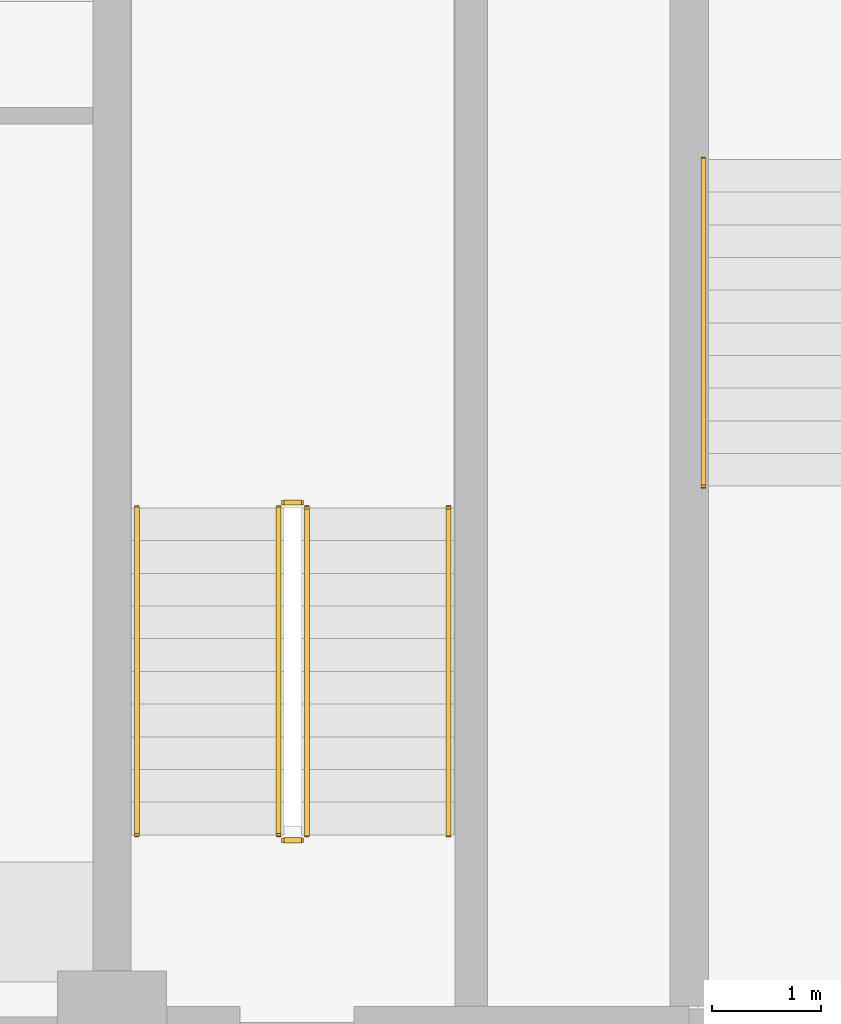
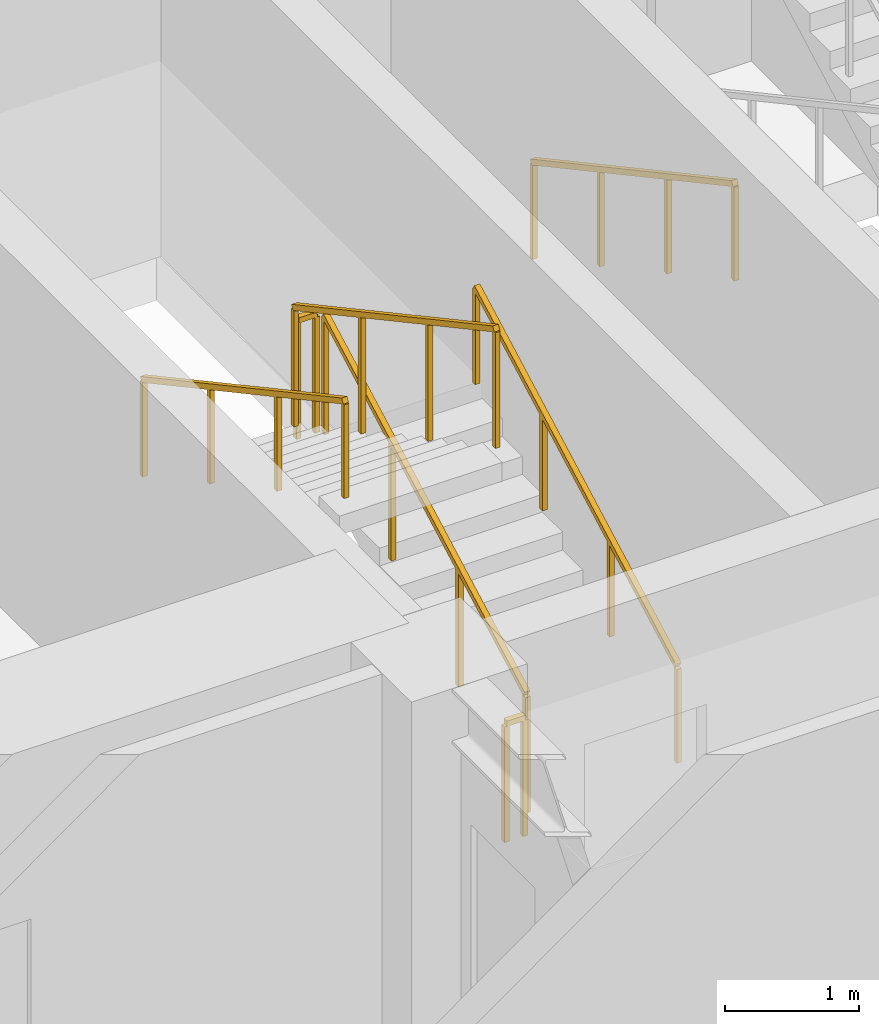
# One storey, part 11 of 17: 7 railings.
"""IFC4 building model written with IfcOpenShell, lengths in metres."""

from ifc_helpers import new_model, si_unit, direction, frame, origin, origin_2d, place, context, subcontext, project, spatial, rectangle, extrude, material, type_object, element, save


model = new_model("IFC4")

# Units and contexts
model_context = context("Model", 3, precision=1e-05, world=origin(), true_north=direction((0.0, 1.0)))
body_context = subcontext(model_context, "Body", "Model", "MODEL_VIEW")
ifc_project = project(units=[si_unit("LENGTHUNIT", "METRE"), si_unit("AREAUNIT", "SQUARE_METRE"), si_unit("VOLUMEUNIT", "CUBIC_METRE"), si_unit("PLANEANGLEUNIT", "RADIAN"), si_unit("MASSUNIT", "GRAM", prefix="KILO")], contexts=[model_context])

# Site, building, storey
site_placement = place(None, origin())
site = spatial("IfcSite", under=ifc_project, at=site_placement, CompositionType="ELEMENT")
building_placement = place(site_placement, origin())
building = spatial("IfcBuilding", under=site, at=building_placement, Name="Zulmaris Gate Convention Tower", CompositionType="ELEMENT")
storey_placement = place(building_placement, frame((0.0, 0.0, 121.349853515625)))
storey = spatial("IfcBuildingStorey", under=building, at=storey_placement, Name="L30", CompositionType="ELEMENT", Elevation=121.349853515625)

# Railings
ifc_material_1 = material(Name="Painted Galvanised Steel", Category="steel")
railing_type_1 = type_object("IfcRailingType", Name="RL-STG-1150", PredefinedType="GUARDRAIL", material=ifc_material_1)
railing_1_placement = place(storey_placement, frame((-18.2099609375, -8.199951171875, 0.162353515625)))
element("IfcRailing", 1, at=railing_1_placement, inside=storey, type_object=railing_type_1, Name="L30 ST-3 stair guard 1", PredefinedType="GUARDRAIL", context=body_context, shape_type="SweptSolid", body=[
    extrude(rectangle(XDim=0.048095703125, YDim=0.048095703125, at=origin_2d()), frame((0.0, 0.0, 1.076171875), z_axis=(0.0, 0.8795616155, 0.475784998228), x_axis=(-1.0, 0.0, 0.0)), (0.0, 0.0, 1.0), 3.410888671875),
    extrude(rectangle(XDim=0.0419921875, YDim=0.0419921875, at=origin_2d()), origin(), (0.0, 0.0, 1.0), 1.052001953125),
    extrude(rectangle(XDim=0.0419921875, YDim=0.0419921875, at=origin_2d()), frame((0.0, 1.0, 0.541015625)), (0.0, 0.0, 1.0), 1.052001953125),
    extrude(rectangle(XDim=0.0419921875, YDim=0.0419921875, at=origin_2d()), frame((0.0, 2.0, 1.081787109375)), (0.0, 0.0, 1.0), 1.052001953125),
    extrude(rectangle(XDim=0.0419921875, YDim=0.0419921875, at=origin_2d()), frame((0.0, 3.0, 1.622802734375)), (0.0, 0.0, 1.0), 1.052001953125),
])
railing_2_placement = place(storey_placement, frame((-18.260009765625, -5.14990234375, 1.78515625)))
element("IfcRailing", 2, at=railing_2_placement, inside=storey, type_object=railing_type_1, Name="L30 ST-3 stair guard 2", PredefinedType="GUARDRAIL", context=body_context, shape_type="SweptSolid", body=[
    extrude(rectangle(XDim=0.048095703125, YDim=0.048095703125, at=origin_2d()), frame((0.0, 0.0, 1.076171875), z_axis=(-1.0, 0.0, 0.0), x_axis=(0.0, -1.0, 0.0)), (0.0, 0.0, 1.0), 0.159912109375),
    extrude(rectangle(XDim=0.0419921875, YDim=0.0419921875, at=origin_2d()), origin(), (0.0, 0.0, 1.0), 1.052001953125),
    extrude(rectangle(XDim=0.0419921875, YDim=0.0419921875, at=origin_2d()), frame((-0.159912109375, 0.0, 0.0)), (0.0, 0.0, 1.0), 1.052001953125),
])
railing_3_placement = place(storey_placement, frame((-18.469970703125, -5.199951171875, 1.947265625)))
element("IfcRailing", 3, at=railing_3_placement, inside=storey, type_object=railing_type_1, Name="L30 ST-3 stair guard 3", PredefinedType="GUARDRAIL", context=body_context, shape_type="SweptSolid", body=[
    extrude(rectangle(XDim=0.048095703125, YDim=0.048095703125, at=origin_2d()), frame((0.0, 0.0, 1.076171875), z_axis=(0.0, -0.8795616155, 0.475784998228), x_axis=(1.0, 0.0, 0.0)), (0.0, 0.0, 1.0), 3.410888671875),
    extrude(rectangle(XDim=0.0419921875, YDim=0.0419921875, at=origin_2d()), origin(), (0.0, 0.0, 1.0), 1.052001953125),
    extrude(rectangle(XDim=0.0419921875, YDim=0.0419921875, at=origin_2d()), frame((0.0, -1.0, 0.541015625)), (0.0, 0.0, 1.0), 1.052001953125),
    extrude(rectangle(XDim=0.0419921875, YDim=0.0419921875, at=origin_2d()), frame((0.0, -2.0, 1.081787109375)), (0.0, 0.0, 1.0), 1.052001953125),
    extrude(rectangle(XDim=0.0419921875, YDim=0.0419921875, at=origin_2d()), frame((0.0, -3.0, 1.622802734375)), (0.0, 0.0, 1.0), 1.052001953125),
])
railing_4_placement = place(storey_placement, frame((-18.260009765625, -8.25, 0.0)))
element("IfcRailing", 4, at=railing_4_placement, inside=storey, type_object=railing_type_1, Name="L30 ST-3 stair guard 4", PredefinedType="GUARDRAIL", context=body_context, shape_type="SweptSolid", body=[
    extrude(rectangle(XDim=0.048095703125, YDim=0.048095703125, at=origin_2d()), frame((0.0, 0.0, 1.076171875), z_axis=(-1.0, 0.0, 0.0), x_axis=(0.0, -1.0, 0.0)), (0.0, 0.0, 1.0), 0.159912109375),
    extrude(rectangle(XDim=0.0419921875, YDim=0.0419921875, at=origin_2d()), origin(), (0.0, 0.0, 1.0), 1.052001953125),
    extrude(rectangle(XDim=0.0419921875, YDim=0.0419921875, at=origin_2d()), frame((-0.159912109375, 0.0, 0.0)), (0.0, 0.0, 1.0), 1.052001953125),
])
ifc_material_2 = material(Name="Brushed Stainless Steel", Category="steel")
railing_type_2 = type_object("IfcRailingType", Name="RL-STH-900", PredefinedType="HANDRAIL", material=ifc_material_2)
railing_5_placement = place(storey_placement, frame((-14.570068359375, -2.0, 0.162353515625)))
element("IfcRailing", 5, at=railing_5_placement, inside=storey, type_object=railing_type_2, Name="L30 ST-1 stair handrail 1", PredefinedType="HANDRAIL", context=body_context, shape_type="SweptSolid", body=[
    extrude(rectangle(XDim=0.048095703125, YDim=0.048095703125, at=origin_2d()), frame((0.0, 0.0, 0.8759765625), z_axis=(0.0, -0.8795616155, 0.475784998228), x_axis=(1.0, 0.0, 0.0)), (0.0, 0.0, 1.0), 3.410888671875),
    extrude(rectangle(XDim=0.0419921875, YDim=0.0419921875, at=origin_2d()), origin(), (0.0, 0.0, 1.0), 0.851806640625),
    extrude(rectangle(XDim=0.0419921875, YDim=0.0419921875, at=origin_2d()), frame((0.0, -1.0, 0.541015625)), (0.0, 0.0, 1.0), 0.851806640625),
    extrude(rectangle(XDim=0.0419921875, YDim=0.0419921875, at=origin_2d()), frame((0.0, -2.0, 1.081787109375)), (0.0, 0.0, 1.0), 0.851806640625),
    extrude(rectangle(XDim=0.0419921875, YDim=0.0419921875, at=origin_2d()), frame((0.0, -3.0, 1.622802734375)), (0.0, 0.0, 1.0), 0.851806640625),
])
railing_6_placement = place(storey_placement, frame((-16.909912109375, -8.199951171875, 0.162353515625)))
element("IfcRailing", 6, at=railing_6_placement, inside=storey, type_object=railing_type_2, Name="L30 ST-3 stair handrail 1", PredefinedType="HANDRAIL", context=body_context, shape_type="SweptSolid", body=[
    extrude(rectangle(XDim=0.048095703125, YDim=0.048095703125, at=origin_2d()), frame((0.0, 0.0, 0.8759765625), z_axis=(0.0, 0.8795616155, 0.475784998228), x_axis=(-1.0, 0.0, 0.0)), (0.0, 0.0, 1.0), 3.410888671875),
    extrude(rectangle(XDim=0.0419921875, YDim=0.0419921875, at=origin_2d()), origin(), (0.0, 0.0, 1.0), 0.851806640625),
    extrude(rectangle(XDim=0.0419921875, YDim=0.0419921875, at=origin_2d()), frame((0.0, 1.0, 0.541015625)), (0.0, 0.0, 1.0), 0.851806640625),
    extrude(rectangle(XDim=0.0419921875, YDim=0.0419921875, at=origin_2d()), frame((0.0, 2.0, 1.081787109375)), (0.0, 0.0, 1.0), 0.851806640625),
    extrude(rectangle(XDim=0.0419921875, YDim=0.0419921875, at=origin_2d()), frame((0.0, 3.0, 1.622802734375)), (0.0, 0.0, 1.0), 0.851806640625),
])
railing_7_placement = place(storey_placement, frame((-19.77001953125, -5.199951171875, 1.947265625)))
element("IfcRailing", 7, at=railing_7_placement, inside=storey, type_object=railing_type_2, Name="L30 ST-3 stair handrail 2", PredefinedType="HANDRAIL", context=body_context, shape_type="SweptSolid", body=[
    extrude(rectangle(XDim=0.048095703125, YDim=0.048095703125, at=origin_2d()), frame((0.0, 0.0, 0.8759765625), z_axis=(0.0, -0.8795616155, 0.475784998228), x_axis=(1.0, 0.0, 0.0)), (0.0, 0.0, 1.0), 3.410888671875),
    extrude(rectangle(XDim=0.0419921875, YDim=0.0419921875, at=origin_2d()), origin(), (0.0, 0.0, 1.0), 0.851806640625),
    extrude(rectangle(XDim=0.0419921875, YDim=0.0419921875, at=origin_2d()), frame((0.0, -1.0, 0.541015625)), (0.0, 0.0, 1.0), 0.851806640625),
    extrude(rectangle(XDim=0.0419921875, YDim=0.0419921875, at=origin_2d()), frame((0.0, -2.0, 1.081787109375)), (0.0, 0.0, 1.0), 0.851806640625),
    extrude(rectangle(XDim=0.0419921875, YDim=0.0419921875, at=origin_2d()), frame((0.0, -3.0, 1.622802734375)), (0.0, 0.0, 1.0), 0.851806640625),
])

save(model, "model.ifc")
